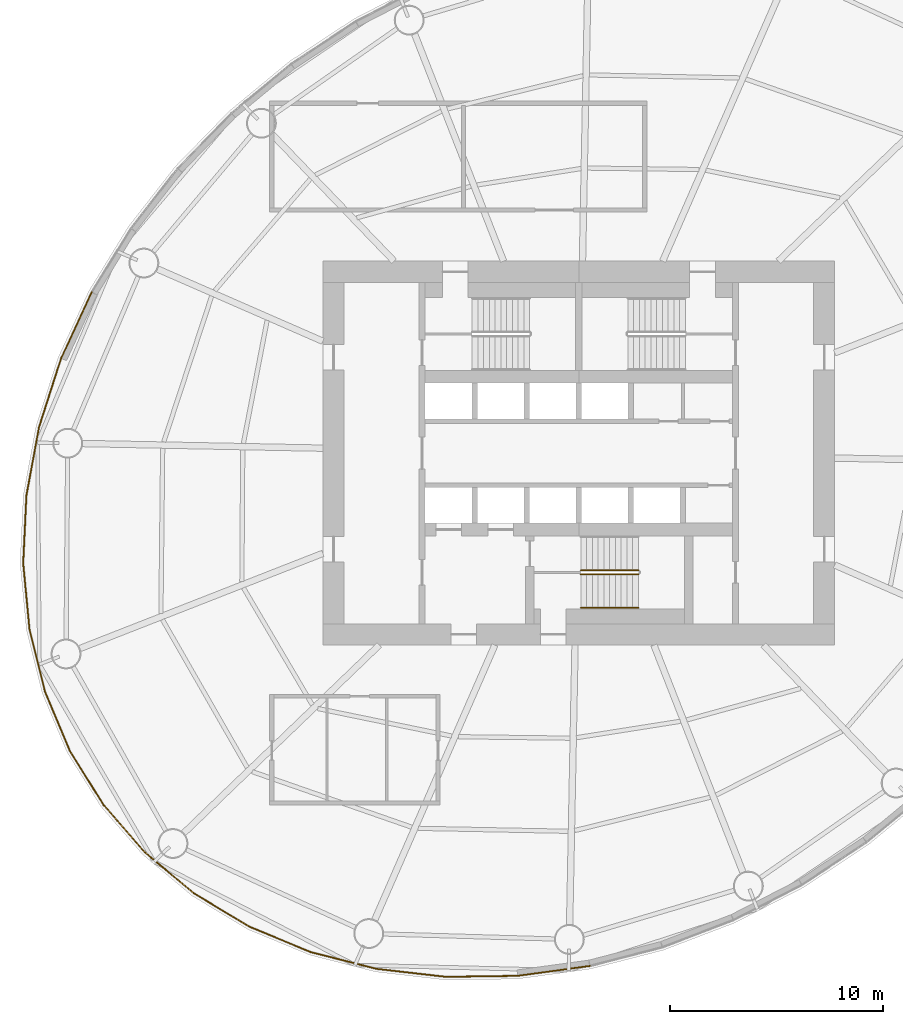
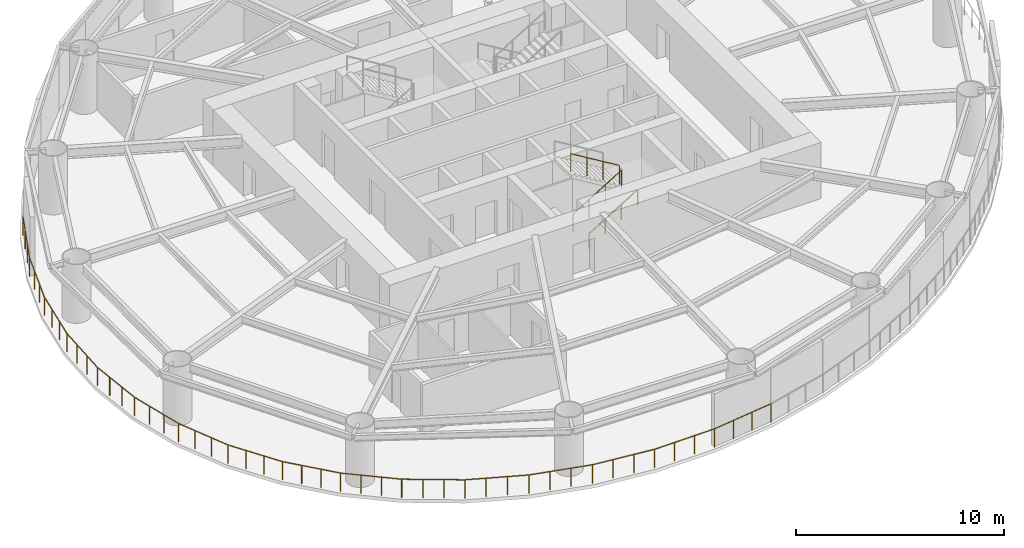
# One storey, part 6 of 8: 7 railings.
"""IFC4 building model written with IfcOpenShell, lengths in metres."""

from ifc_helpers import new_model, si_unit, direction, frame, origin, origin_2d, place, context, subcontext, project, spatial, circle, extrude, material, type_object, element, save


model = new_model("IFC4")

# Units and contexts
model_context = context("Model", 3, precision=1e-05, world=origin(), true_north=direction((0.0, 1.0)))
body_context = subcontext(model_context, "Body", "Model", "MODEL_VIEW")
ifc_project = project(units=[si_unit("LENGTHUNIT", "METRE"), si_unit("AREAUNIT", "SQUARE_METRE"), si_unit("VOLUMEUNIT", "CUBIC_METRE"), si_unit("PLANEANGLEUNIT", "RADIAN"), si_unit("MASSUNIT", "GRAM", prefix="KILO")], contexts=[model_context])

# Site, building, storey
site_placement = place(None, origin())
site = spatial("IfcSite", under=ifc_project, at=site_placement, CompositionType="ELEMENT")
building_placement = place(site_placement, origin())
building = spatial("IfcBuilding", under=site, at=building_placement, Name="Vermilion Reach Broadcast Tower", CompositionType="ELEMENT")
storey_placement = place(building_placement, frame((0.0, 0.0, 179.39990234375)))
storey = spatial("IfcBuildingStorey", under=building, at=storey_placement, Name="L43", CompositionType="ELEMENT", Elevation=179.39990234375)

# Railings
ifc_material_1 = material(Name="Steel guardrail with stainless infill", Category="steel")
railing_type_1 = type_object("IfcRailingType", Name="Open floor guardrail 1100", PredefinedType="GUARDRAIL", material=ifc_material_1)
railing_1_placement = place(storey_placement, frame((-28.83251953125, 7.54736328125, 0.0)))
element("IfcRailing", 1, at=railing_1_placement, inside=storey, type_object=railing_type_1, Name="sp.rail.L43.04", PredefinedType="GUARDRAIL", context=body_context, shape_type="SweptSolid", body=[
    extrude(circle(Radius=0.02490234375, at=origin_2d()), frame((0.0, 0.0, 1.0751953125), z_axis=(-0.419706571007, -0.907659845015, 0.0), x_axis=(0.907659845015, -0.419706571007, 0.0)), (0.0, 0.0, 1.0), 3.437744140625),
    extrude(circle(Radius=0.02490234375, at=origin_2d()), frame((-1.44287109375, -3.120361328125, 1.0751953125), z_axis=(-0.305976220388, -0.95203915495, 0.0), x_axis=(0.95203915495, -0.305976220388, 0.0)), (0.0, 0.0, 1.0), 3.356689453125),
    extrude(circle(Radius=0.02490234375, at=origin_2d()), frame((-2.469970703125, -6.316162109375, 1.0751953125), z_axis=(-0.181650780619, -0.983363103793, 0.0), x_axis=(0.983363103793, -0.181650780619, 0.0)), (0.0, 0.0, 1.0), 3.27001953125),
    extrude(circle(Radius=0.02490234375, at=origin_2d()), frame((-3.06396484375, -9.53173828125, 1.0751953125), z_axis=(-0.047383010356, -0.998876794369, 0.0), x_axis=(0.998876794369, -0.047383010356, 0.0)), (0.0, 0.0, 1.0), 3.184326171875),
    extrude(circle(Radius=0.02490234375, at=origin_2d()), origin(), (0.0, 0.0, 1.0), 1.050048828125),
    extrude(circle(Radius=0.02490234375, at=origin_2d()), frame((-0.48095703125, -1.0400390625, 0.0)), (0.0, 0.0, 1.0), 1.050048828125),
    extrude(circle(Radius=0.02490234375, at=origin_2d()), frame((-0.9619140625, -2.080322265625, 0.0)), (0.0, 0.0, 1.0), 1.050048828125),
    extrude(circle(Radius=0.02490234375, at=origin_2d()), frame((-1.44287109375, -3.120361328125, 0.0)), (0.0, 0.0, 1.0), 1.050048828125),
    extrude(circle(Radius=0.02490234375, at=origin_2d()), frame((-1.78515625, -4.185546875, 0.0)), (0.0, 0.0, 1.0), 1.050048828125),
    extrude(circle(Radius=0.02490234375, at=origin_2d()), frame((-2.127685546875, -5.2509765625, 0.0)), (0.0, 0.0, 1.0), 1.050048828125),
    extrude(circle(Radius=0.02490234375, at=origin_2d()), frame((-2.469970703125, -6.316162109375, 0.0)), (0.0, 0.0, 1.0), 1.050048828125),
    extrude(circle(Radius=0.02490234375, at=origin_2d()), frame((-2.66796875, -7.387939453125, 0.0)), (0.0, 0.0, 1.0), 1.050048828125),
    extrude(circle(Radius=0.02490234375, at=origin_2d()), frame((-2.865966796875, -8.4599609375, 0.0)), (0.0, 0.0, 1.0), 1.050048828125),
    extrude(circle(Radius=0.02490234375, at=origin_2d()), frame((-3.06396484375, -9.53173828125, 0.0)), (0.0, 0.0, 1.0), 1.050048828125),
    extrude(circle(Radius=0.02490234375, at=origin_2d()), frame((-3.1142578125, -10.592041015625, 0.0)), (0.0, 0.0, 1.0), 1.050048828125),
    extrude(circle(Radius=0.02490234375, at=origin_2d()), frame((-3.16455078125, -11.652099609375, 0.0)), (0.0, 0.0, 1.0), 1.050048828125),
    extrude(circle(Radius=0.02490234375, at=origin_2d()), frame((-3.21484375, -12.71240234375, 0.0)), (0.0, 0.0, 1.0), 1.050048828125),
])
railing_2_placement = place(storey_placement, frame((-32.04736328125, -5.1650390625, 0.0)))
element("IfcRailing", 2, at=railing_2_placement, inside=storey, type_object=railing_type_1, Name="sp.rail.L43.05", PredefinedType="GUARDRAIL", context=body_context, shape_type="SweptSolid", body=[
    extrude(circle(Radius=0.02490234375, at=origin_2d()), frame((0.0, 0.0, 1.0751953125), z_axis=(0.094809092628, -0.995495472594, 0.0), x_axis=(0.995495472594, 0.094809092628, 0.0)), (0.0, 0.0, 1.0), 3.10546875),
    extrude(circle(Radius=0.02490234375, at=origin_2d()), frame((0.29443359375, -3.091552734375, 1.0751953125), z_axis=(0.241552638056, -0.970387717898, 0.0), x_axis=(0.970387717898, 0.241552638056, 0.0)), (0.0, 0.0, 1.0), 3.039306640625),
    extrude(circle(Radius=0.02490234375, at=origin_2d()), frame((1.028564453125, -6.040771484375, 1.0751953125), z_axis=(0.388129966431, -0.921604649054, 0.0), x_axis=(0.921604649054, 0.388129966431, 0.0)), (0.0, 0.0, 1.0), 2.99169921875),
    extrude(circle(Radius=0.02490234375, at=origin_2d()), frame((2.189697265625, -8.7978515625, 1.0751953125), z_axis=(0.528548382849, -0.848903178806, 0.0), x_axis=(0.848903178806, 0.528548382849, 0.0)), (0.0, 0.0, 1.0), 2.966796875),
    extrude(circle(Radius=0.02490234375, at=origin_2d()), origin(), (0.0, 0.0, 1.0), 1.050048828125),
    extrude(circle(Radius=0.02490234375, at=origin_2d()), frame((0.09814453125, -1.030517578125, 0.0)), (0.0, 0.0, 1.0), 1.050048828125),
    extrude(circle(Radius=0.02490234375, at=origin_2d()), frame((0.1962890625, -2.06103515625, 0.0)), (0.0, 0.0, 1.0), 1.050048828125),
    extrude(circle(Radius=0.02490234375, at=origin_2d()), frame((0.29443359375, -3.091552734375, 0.0)), (0.0, 0.0, 1.0), 1.050048828125),
    extrude(circle(Radius=0.02490234375, at=origin_2d()), frame((0.5390625, -4.07470703125, 0.0)), (0.0, 0.0, 1.0), 1.050048828125),
    extrude(circle(Radius=0.02490234375, at=origin_2d()), frame((0.783935546875, -5.0576171875, 0.0)), (0.0, 0.0, 1.0), 1.050048828125),
    extrude(circle(Radius=0.02490234375, at=origin_2d()), frame((1.028564453125, -6.040771484375, 0.0)), (0.0, 0.0, 1.0), 1.050048828125),
    extrude(circle(Radius=0.02490234375, at=origin_2d()), frame((1.41552734375, -6.959716796875, 0.0)), (0.0, 0.0, 1.0), 1.050048828125),
    extrude(circle(Radius=0.02490234375, at=origin_2d()), frame((1.802734375, -7.87890625, 0.0)), (0.0, 0.0, 1.0), 1.050048828125),
    extrude(circle(Radius=0.02490234375, at=origin_2d()), frame((2.189697265625, -8.7978515625, 0.0)), (0.0, 0.0, 1.0), 1.050048828125),
    extrude(circle(Radius=0.02490234375, at=origin_2d()), frame((2.71240234375, -9.637451171875, 0.0)), (0.0, 0.0, 1.0), 1.050048828125),
    extrude(circle(Radius=0.02490234375, at=origin_2d()), frame((3.235107421875, -10.476806640625, 0.0)), (0.0, 0.0, 1.0), 1.050048828125),
    extrude(circle(Radius=0.02490234375, at=origin_2d()), frame((3.7578125, -11.31640625, 0.0)), (0.0, 0.0, 1.0), 1.050048828125),
])
railing_3_placement = place(storey_placement, frame((-28.28955078125, -16.4814453125, 0.0)))
element("IfcRailing", 3, at=railing_3_placement, inside=storey, type_object=railing_type_1, Name="sp.rail.L43.06", PredefinedType="GUARDRAIL", context=body_context, shape_type="SweptSolid", body=[
    extrude(circle(Radius=0.02490234375, at=origin_2d()), frame((0.0, 0.0, 1.0751953125), z_axis=(0.656708283858, -0.754144700911, 0.0), x_axis=(0.754144700911, 0.656708283858, 0.0)), (0.0, 0.0, 1.0), 2.966796875),
    extrude(circle(Radius=0.02490234375, at=origin_2d()), frame((1.9482421875, -2.2373046875, 1.0751953125), z_axis=(0.767444767207, -0.641115067118, 0.0), x_axis=(0.641115067118, 0.767444767207, 0.0)), (0.0, 0.0, 1.0), 2.99169921875),
    extrude(circle(Radius=0.02490234375, at=origin_2d()), frame((4.244140625, -4.1552734375, 1.0751953125), z_axis=(0.857010586447, -0.515298801393, 0.0), x_axis=(0.515298801393, 0.857010586447, 0.0)), (0.0, 0.0, 1.0), 3.039306640625),
    extrude(circle(Radius=0.02490234375, at=origin_2d()), frame((6.848876953125, -5.721435546875, 1.0751953125), z_axis=(0.924025452494, -0.382330960221, 0.0), x_axis=(0.382330960221, 0.924025452494, 0.0)), (0.0, 0.0, 1.0), 3.105224609375),
    extrude(circle(Radius=0.02490234375, at=origin_2d()), origin(), (0.0, 0.0, 1.0), 1.050048828125),
    extrude(circle(Radius=0.02490234375, at=origin_2d()), frame((0.6494140625, -0.745849609375, 0.0)), (0.0, 0.0, 1.0), 1.050048828125),
    extrude(circle(Radius=0.02490234375, at=origin_2d()), frame((1.298828125, -1.491455078125, 0.0)), (0.0, 0.0, 1.0), 1.050048828125),
    extrude(circle(Radius=0.02490234375, at=origin_2d()), frame((1.9482421875, -2.2373046875, 0.0)), (0.0, 0.0, 1.0), 1.050048828125),
    extrude(circle(Radius=0.02490234375, at=origin_2d()), frame((2.713623046875, -2.876708984375, 0.0)), (0.0, 0.0, 1.0), 1.050048828125),
    extrude(circle(Radius=0.02490234375, at=origin_2d()), frame((3.478759765625, -3.515869140625, 0.0)), (0.0, 0.0, 1.0), 1.050048828125),
    extrude(circle(Radius=0.02490234375, at=origin_2d()), frame((4.244140625, -4.1552734375, 0.0)), (0.0, 0.0, 1.0), 1.050048828125),
    extrude(circle(Radius=0.02490234375, at=origin_2d()), frame((5.1123046875, -4.67724609375, 0.0)), (0.0, 0.0, 1.0), 1.050048828125),
    extrude(circle(Radius=0.02490234375, at=origin_2d()), frame((5.980712890625, -5.199462890625, 0.0)), (0.0, 0.0, 1.0), 1.050048828125),
    extrude(circle(Radius=0.02490234375, at=origin_2d()), frame((6.848876953125, -5.721435546875, 0.0)), (0.0, 0.0, 1.0), 1.050048828125),
    extrude(circle(Radius=0.02490234375, at=origin_2d()), frame((7.805419921875, -6.1171875, 0.0)), (0.0, 0.0, 1.0), 1.050048828125),
    extrude(circle(Radius=0.02490234375, at=origin_2d()), frame((8.76171875, -6.512939453125, 0.0)), (0.0, 0.0, 1.0), 1.050048828125),
    extrude(circle(Radius=0.02490234375, at=origin_2d()), frame((9.71826171875, -6.90869140625, 0.0)), (0.0, 0.0, 1.0), 1.050048828125),
])
railing_4_placement = place(storey_placement, frame((-18.5712890625, -23.39013671875, 0.0)))
element("IfcRailing", 4, at=railing_4_placement, inside=storey, type_object=railing_type_1, Name="sp.rail.L43.07", PredefinedType="GUARDRAIL", context=body_context, shape_type="SweptSolid", body=[
    extrude(circle(Radius=0.02490234375, at=origin_2d()), frame((0.0, 0.0, 1.0751953125), z_axis=(0.968907934393, -0.247421532348, 0.0), x_axis=(0.247421532348, 0.968907934393, 0.0)), (0.0, 0.0, 1.0), 3.184326171875),
    extrude(circle(Radius=0.02490234375, at=origin_2d()), frame((3.085205078125, -0.787841796875, 1.0751953125), z_axis=(0.993412531822, -0.11459293878, 0.0), x_axis=(0.11459293878, 0.993412531822, 0.0)), (0.0, 0.0, 1.0), 3.270263671875),
    extrude(circle(Radius=0.02490234375, at=origin_2d()), frame((6.333984375, -1.16259765625, 1.0751953125), z_axis=(0.99990749247, 0.013601709543, 0.0), x_axis=(-0.013601709543, 0.99990749247, 0.0)), (0.0, 0.0, 1.0), 3.3564453125),
    extrude(circle(Radius=0.02490234375, at=origin_2d()), frame((9.690185546875, -1.116943359375, 1.0751953125), z_axis=(0.990798597171, 0.13534452277, 0.0), x_axis=(-0.13534452277, 0.990798597171, 0.0)), (0.0, 0.0, 1.0), 3.438232421875),
    extrude(circle(Radius=0.02490234375, at=origin_2d()), origin(), (0.0, 0.0, 1.0), 1.050048828125),
    extrude(circle(Radius=0.02490234375, at=origin_2d()), frame((1.0283203125, -0.2626953125, 0.0)), (0.0, 0.0, 1.0), 1.050048828125),
    extrude(circle(Radius=0.02490234375, at=origin_2d()), frame((2.056884765625, -0.525146484375, 0.0)), (0.0, 0.0, 1.0), 1.050048828125),
    extrude(circle(Radius=0.02490234375, at=origin_2d()), frame((3.085205078125, -0.787841796875, 0.0)), (0.0, 0.0, 1.0), 1.050048828125),
    extrude(circle(Radius=0.02490234375, at=origin_2d()), frame((4.168212890625, -0.912841796875, 0.0)), (0.0, 0.0, 1.0), 1.050048828125),
    extrude(circle(Radius=0.02490234375, at=origin_2d()), frame((5.2509765625, -1.03759765625, 0.0)), (0.0, 0.0, 1.0), 1.050048828125),
    extrude(circle(Radius=0.02490234375, at=origin_2d()), frame((6.333984375, -1.16259765625, 0.0)), (0.0, 0.0, 1.0), 1.050048828125),
    extrude(circle(Radius=0.02490234375, at=origin_2d()), frame((7.45263671875, -1.1474609375, 0.0)), (0.0, 0.0, 1.0), 1.050048828125),
    extrude(circle(Radius=0.02490234375, at=origin_2d()), frame((8.571533203125, -1.132080078125, 0.0)), (0.0, 0.0, 1.0), 1.050048828125),
    extrude(circle(Radius=0.02490234375, at=origin_2d()), frame((9.690185546875, -1.116943359375, 0.0)), (0.0, 0.0, 1.0), 1.050048828125),
    extrude(circle(Radius=0.02490234375, at=origin_2d()), frame((10.82568359375, -0.9619140625, 0.0)), (0.0, 0.0, 1.0), 1.050048828125),
    extrude(circle(Radius=0.02490234375, at=origin_2d()), frame((11.961181640625, -0.806640625, 0.0)), (0.0, 0.0, 1.0), 1.050048828125),
    extrude(circle(Radius=0.02490234375, at=origin_2d()), frame((13.0966796875, -0.651611328125, 0.0)), (0.0, 0.0, 1.0), 1.050048828125),
])
ifc_material_2 = material(Name="Stainless steel", Category="steel")
railing_type_2 = type_object("IfcRailingType", Name="Stair guard 1100", PredefinedType="GUARDRAIL", material=ifc_material_2)
railing_5_placement = place(storey_placement, frame((-5.89990234375, -5.68994140625, 0.163818359375)))
element("IfcRailing", 5, at=railing_5_placement, inside=storey, type_object=railing_type_2, Name="L43 ST3 stair guard 1", PredefinedType="GUARDRAIL", context=body_context, shape_type="SweptSolid", body=[
    extrude(circle(Radius=0.02392578125, at=origin_2d()), frame((0.0, 0.0, 1.076171875), z_axis=(0.855212373127, 0.0, 0.518277721738), x_axis=(0.0, 1.0, 0.0)), (0.0, 0.0, 1.0), 3.156982421875),
    extrude(circle(Radius=0.02099609375, at=origin_2d()), origin(), (0.0, 0.0, 1.0), 1.052001953125),
    extrude(circle(Radius=0.02099609375, at=origin_2d()), frame((0.89990234375, 0.0, 0.54541015625)), (0.0, 0.0, 1.0), 1.052001953125),
    extrude(circle(Radius=0.02099609375, at=origin_2d()), frame((1.800048828125, 0.0, 1.0908203125)), (0.0, 0.0, 1.0), 1.052001953125),
    extrude(circle(Radius=0.02099609375, at=origin_2d()), frame((2.699951171875, 0.0, 1.63623046875)), (0.0, 0.0, 1.0), 1.052001953125),
])
railing_6_placement = place(storey_placement, frame((-3.199951171875, -5.489990234375, 1.963623046875)))
element("IfcRailing", 6, at=railing_6_placement, inside=storey, type_object=railing_type_2, Name="L43 ST3 stair guard 3", PredefinedType="GUARDRAIL", context=body_context, shape_type="SweptSolid", body=[
    extrude(circle(Radius=0.02392578125, at=origin_2d()), frame((0.0, 0.0, 1.076171875), z_axis=(-0.855178096276, 0.0, 0.518334277904), x_axis=(0.0, -1.0, 0.0)), (0.0, 0.0, 1.0), 3.1572265625),
    extrude(circle(Radius=0.02099609375, at=origin_2d()), origin(), (0.0, 0.0, 1.0), 1.052001953125),
    extrude(circle(Radius=0.02099609375, at=origin_2d()), frame((-0.89990234375, 0.0, 0.54541015625)), (0.0, 0.0, 1.0), 1.052001953125),
    extrude(circle(Radius=0.02099609375, at=origin_2d()), frame((-1.800048828125, 0.0, 1.091064453125)), (0.0, 0.0, 1.0), 1.052001953125),
    extrude(circle(Radius=0.02099609375, at=origin_2d()), frame((-2.699951171875, 0.0, 1.636474609375)), (0.0, 0.0, 1.0), 1.052001953125),
])
ifc_material_3 = material(Name="Stainless steel", Category="steel")
railing_type_3 = type_object("IfcRailingType", Name="Stair handrail", PredefinedType="HANDRAIL", material=ifc_material_3)
railing_7_placement = place(storey_placement, frame((-5.89990234375, -7.25, 0.163818359375)))
element("IfcRailing", 7, at=railing_7_placement, inside=storey, type_object=railing_type_3, Name="L43 ST3 stair handrail 1", PredefinedType="HANDRAIL", context=body_context, shape_type="SweptSolid", body=[
    extrude(circle(Radius=0.02392578125, at=origin_2d()), frame((0.0, 0.0, 0.8759765625), z_axis=(0.855212373127, 0.0, 0.518277721738), x_axis=(0.0, 1.0, 0.0)), (0.0, 0.0, 1.0), 3.156982421875),
    extrude(circle(Radius=0.02099609375, at=origin_2d()), origin(), (0.0, 0.0, 1.0), 0.851806640625),
    extrude(circle(Radius=0.02099609375, at=origin_2d()), frame((0.89990234375, 0.0, 0.54541015625)), (0.0, 0.0, 1.0), 0.851806640625),
    extrude(circle(Radius=0.02099609375, at=origin_2d()), frame((1.800048828125, 0.0, 1.0908203125)), (0.0, 0.0, 1.0), 0.851806640625),
    extrude(circle(Radius=0.02099609375, at=origin_2d()), frame((2.699951171875, 0.0, 1.63623046875)), (0.0, 0.0, 1.0), 0.851806640625),
])

save(model, "model.ifc")
